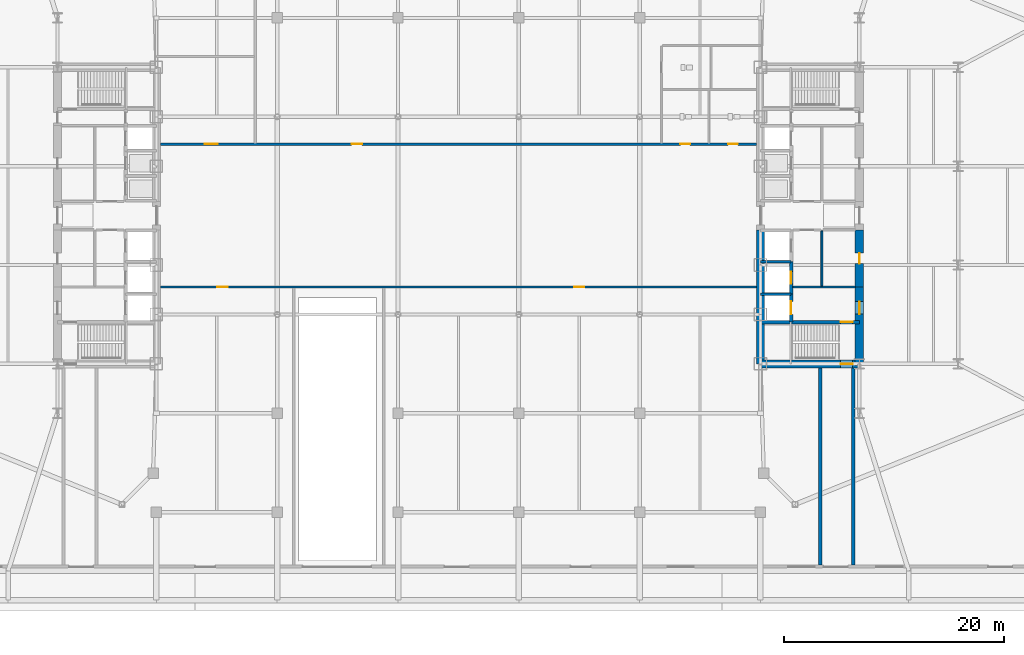
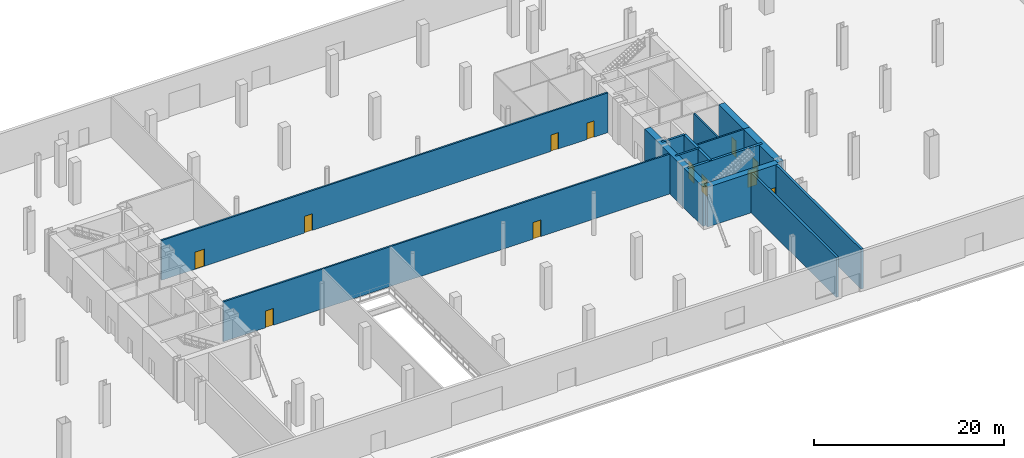
# One storey, part 13 of 21: 15 walls, 12 doors, 12 openings.
"""IFC4 building model written with IfcOpenShell, lengths in metres."""

from ifc_helpers import new_model, si_unit, direction, frame, frame_2d, origin, place, context, subcontext, project, spatial, rectangle, extrude, source, transform, mapped, material, layer, layer_set, type_object, type_shapes, element, fill, save


model = new_model("IFC4")

# Units and contexts
model_context = context("Model", 3, precision=1e-05, world=origin(), true_north=direction((0.0, 1.0)))
body_context = subcontext(model_context, "Body", "Model", "MODEL_VIEW")
ifc_project = project(units=[si_unit("LENGTHUNIT", "METRE"), si_unit("AREAUNIT", "SQUARE_METRE"), si_unit("VOLUMEUNIT", "CUBIC_METRE"), si_unit("PLANEANGLEUNIT", "RADIAN"), si_unit("MASSUNIT", "GRAM", prefix="KILO")], contexts=[model_context])

# Site, building, storey
site_placement = place(None, origin())
site = spatial("IfcSite", under=ifc_project, at=site_placement, CompositionType="ELEMENT")
building_placement = place(site_placement, origin())
building = spatial("IfcBuilding", under=site, at=building_placement, Name="Seokmaru Belvedere", CompositionType="ELEMENT")
storey_placement = place(building_placement, origin())
storey = spatial("IfcBuildingStorey", under=building, at=storey_placement, Name="L00", CompositionType="ELEMENT", Elevation=0.0)

# Walls
ifc_material_1 = material(Name="Fire-Rated Gypsum Shaftwall")
ifc_layer_1 = layer(ifc_material_1, 0.179931640625)
ifc_layer_set_1 = layer_set([ifc_layer_1], Name="Fire-Rated Gypsum Shaftwall")
wall_type_1 = type_object("IfcWallType", Name="Core Service Fire Partition 180", PredefinedType="PARTITIONING", material=ifc_layer_set_1)
wall_1_placement = place(storey_placement, frame((30.449951171875, -6.5, 0.0), z_axis=(0.0, 0.0, 1.0), x_axis=(1.0, 0.0, 0.0)))
element("IfcWall", 1, at=wall_1_placement, inside=storey, type_object=wall_type_1, Name="L00 East Firefighting Lobby Partition", PredefinedType="PARTITIONING", context=body_context, shape_type="SweptSolid", body=[
    extrude(rectangle(XDim=5.699951171875, YDim=0.179931640625, at=frame_2d((2.85009765625, 0.0))), origin(), (0.0, 0.0, 1.0), 5.1201171875),
])
wall_2_placement = place(storey_placement, frame((33.10009765625, -6.419921875, 0.0), z_axis=(0.0, 0.0, 1.0), x_axis=(0.0, 1.0, 0.0)))
element("IfcWall", 2, at=wall_2_placement, inside=storey, type_object=wall_type_1, Name="L00 East South Core Service Back Wall", PredefinedType="PARTITIONING", context=body_context, shape_type="SweptSolid", body=[
    extrude(rectangle(XDim=5.0400390625, YDim=0.179931640625, at=frame_2d((2.52001953125, 0.0))), origin(), (0.0, 0.0, 1.0), 5.1201171875),
])
ifc_material_2 = material(Name="Concrete C50 (50 MPa)", Category="concrete")
ifc_layer_2 = layer(ifc_material_2, 0.25)
ifc_layer_set_2 = layer_set([ifc_layer_2], Name="Concrete C50 (50 MPa)")
wall_type_2 = type_object("IfcWallType", Name="Hoistway Transverse Concrete Divider Wall 250", PredefinedType="SHEAR", material=ifc_layer_set_2)
for number, where, z_axis, x_axis, name in (
    (3, (27.5, -7.14990234375, 0.0), (0.0, 0.0, 1.0), (1.0, 0.0, 0.0), "L00 East Hoistway Divider Core Wall 1"),
    (4, (27.5, -4.199951171875, 0.0), (0.0, 0.0, 1.0), (1.0, 0.0, 0.0), "L00 East Hoistway Divider Core Wall 2"),
):
    element("IfcWall", number, at=place(storey_placement, frame(where, z_axis=z_axis, x_axis=x_axis)), inside=storey, type_object=wall_type_2, Name=name, PredefinedType="SHEAR", context=body_context, shape_type="SweptSolid", body=[
        extrude(rectangle(XDim=2.800048828125, YDim=0.25, at=frame_2d((1.39990234375, 0.0))), origin(), (0.0, 0.0, 1.0), 5.1201171875),
    ])

# Wall, openings, doors
ifc_layer_3 = layer(ifc_material_1, 0.199951171875)
ifc_layer_set_3 = layer_set([ifc_layer_3], Name="Fire-Rated Gypsum Shaftwall")
wall_type_3 = type_object("IfcWallType", Name="Inter-Tenancy Fire Compartment Partition 200", PredefinedType="PARTITIONING", material=ifc_layer_set_3)
wall_3_placement = place(storey_placement, frame((-27.1201171875, -6.5, 0.0), z_axis=(0.0, 0.0, 1.0), x_axis=(1.0, 0.0, 0.0)))
wall_3 = element("IfcWall", 5, at=wall_3_placement, inside=storey, type_object=wall_type_3, Name="L00 Interior Partition 001", PredefinedType="PARTITIONING", context=body_context, shape_type="SweptSolid", body=[
    extrude(rectangle(XDim=54.240234375, YDim=0.199951171875, at=frame_2d((27.1201171875, 0.0))), origin(), (0.0, 0.0, 1.0), 5.1201171875),
])
opening_1_placement = place(wall_3_placement, frame((5.14501953125, 0.0, 0.0)))
opening_1 = element("IfcOpeningElement", 6, at=opening_1_placement, cuts=wall_3, Name="Opening D05", PredefinedType="OPENING", context=body_context, shape_type="SweptSolid", body=[
    extrude(rectangle(XDim=0.949951171875, YDim=2.14990234375, at=frame_2d((0.47509765625, 1.074951171875))), frame((0.0, 0.10986328125, 0.0), z_axis=(0.0, -1.0, 0.0), x_axis=(1.0, 0.0, 0.0)), (0.0, 0.0, 1.0), 0.219970703125),
])
opening_2_placement = place(wall_3_placement, frame((37.64501953125, 0.0, 0.0)))
opening_2 = element("IfcOpeningElement", 7, at=opening_2_placement, cuts=wall_3, Name="Opening D05", PredefinedType="OPENING", context=body_context, shape_type="SweptSolid", body=[
    extrude(rectangle(XDim=0.949951171875, YDim=2.14990234375, at=frame_2d((0.47509765625, 1.074951171875))), frame((0.0, 0.10986328125, 0.0), z_axis=(0.0, -1.0, 0.0), x_axis=(1.0, 0.0, 0.0)), (0.0, 0.0, 1.0), 0.219970703125),
])
ifc_material_3 = material(Name="Engineered White Oak Timber", Category="wood")
door_type_1 = type_object("IfcDoorType", Name="Apartment Interior Fire-Rated Oak Door 950x2150", OperationType="NOTDEFINED", PredefinedType="DOOR", material=ifc_material_3)
shared_shape_1 = source(origin(), body_context, "Body", "SweptSolid", [
    extrude(rectangle(XDim=0.949951171875, YDim=2.14990234375, at=frame_2d((0.47509765625, 1.074951171875))), frame((0.0, 0.02490234375, 0.0), z_axis=(0.0, -1.0, 0.0), x_axis=(1.0, 0.0, 0.0)), (0.0, 0.0, 1.0), 0.050048828125),
])
type_shapes(door_type_1, [shared_shape_1])
door_1_placement = place(opening_1_placement, origin())
door_1 = element("IfcDoor", 8, at=door_1_placement, inside=storey, type_object=door_type_1, Name="L00 Interior Door 006", OperationType="SINGLE_SWING_LEFT", OverallHeight=2.14990234375, OverallWidth=0.949951171875, PredefinedType="DOOR", context=body_context, shape_type="MappedRepresentation", body=[
    mapped(shared_shape_1, transform((0.0, 0.0, 0.0), scale=1.0)),
])
fill(opening_1, door_1)
door_2_placement = place(opening_2_placement, origin())
door_2 = element("IfcDoor", 9, at=door_2_placement, inside=storey, type_object=door_type_1, Name="L00 Interior Door 007", OperationType="SINGLE_SWING_RIGHT", OverallHeight=2.14990234375, OverallWidth=0.949951171875, PredefinedType="DOOR", context=body_context, shape_type="MappedRepresentation", body=[
    mapped(shared_shape_1, transform((0.0, 0.0, 0.0), scale=1.0)),
])
fill(opening_2, door_2)

wall_4_placement = place(storey_placement, frame((-27.1201171875, 6.5, 0.0), z_axis=(0.0, 0.0, 1.0), x_axis=(1.0, 0.0, 0.0)))
wall_4 = element("IfcWall", 10, at=wall_4_placement, inside=storey, type_object=wall_type_3, Name="L00 Interior Partition 002", PredefinedType="PARTITIONING", context=body_context, shape_type="SweptSolid", body=[
    extrude(rectangle(XDim=54.240234375, YDim=0.199951171875, at=frame_2d((27.1201171875, 0.0))), origin(), (0.0, 0.0, 1.0), 5.1201171875),
])
opening_3_placement = place(wall_4_placement, frame((4.044921875, 0.0, 0.0)))
opening_3 = element("IfcOpeningElement", 11, at=opening_3_placement, cuts=wall_4, Name="Opening D02", PredefinedType="OPENING", context=body_context, shape_type="SweptSolid", body=[
    extrude(rectangle(XDim=1.14990234375, YDim=2.199951171875, at=frame_2d((0.574951171875, 1.10009765625))), frame((0.0, 0.10986328125, 0.0), z_axis=(0.0, -1.0, 0.0), x_axis=(1.0, 0.0, 0.0)), (0.0, 0.0, 1.0), 0.219970703125),
])
opening_4_placement = place(wall_4_placement, frame((17.39501953125, 0.0, 0.0)))
opening_4 = element("IfcOpeningElement", 12, at=opening_4_placement, cuts=wall_4, Name="Opening D05", PredefinedType="OPENING", context=body_context, shape_type="SweptSolid", body=[
    extrude(rectangle(XDim=0.949951171875, YDim=2.14990234375, at=frame_2d((0.47509765625, 1.074951171875))), frame((0.0, 0.10986328125, 0.0), z_axis=(0.0, -1.0, 0.0), x_axis=(1.0, 0.0, 0.0)), (0.0, 0.0, 1.0), 0.219970703125),
])
opening_5_placement = place(wall_4_placement, frame((47.330078125, 0.0, 0.0)))
opening_5 = element("IfcOpeningElement", 13, at=opening_5_placement, cuts=wall_4, Name="Opening D06", PredefinedType="OPENING", context=body_context, shape_type="SweptSolid", body=[
    extrude(rectangle(XDim=0.8798828125, YDim=2.10009765625, at=frame_2d((0.43994140625, 1.050048828125))), frame((0.0, 0.10986328125, 0.0), z_axis=(0.0, -1.0, 0.0), x_axis=(1.0, 0.0, 0.0)), (0.0, 0.0, 1.0), 0.219970703125),
])
opening_6_placement = place(wall_4_placement, frame((51.679931640625, 0.0, 0.0)))
opening_6 = element("IfcOpeningElement", 14, at=opening_6_placement, cuts=wall_4, Name="Opening D06", PredefinedType="OPENING", context=body_context, shape_type="SweptSolid", body=[
    extrude(rectangle(XDim=0.8798828125, YDim=2.10009765625, at=frame_2d((0.43994140625, 1.050048828125))), frame((0.0, 0.10986328125, 0.0), z_axis=(0.0, -1.0, 0.0), x_axis=(1.0, 0.0, 0.0)), (0.0, 0.0, 1.0), 0.219970703125),
])
ifc_material_4 = material(Name="Fire-Rated Steel Leaf", Category="steel")
door_type_2 = type_object("IfcDoorType", Name="Lobby and Vestibule Fire Door 1150x2200", OperationType="NOTDEFINED", PredefinedType="DOOR", material=ifc_material_4)
shared_shape_2 = source(origin(), body_context, "Body", "SweptSolid", [
    extrude(rectangle(XDim=1.14990234375, YDim=2.199951171875, at=frame_2d((0.574951171875, 1.10009765625))), frame((0.0, 0.02490234375, 0.0), z_axis=(0.0, -1.0, 0.0), x_axis=(1.0, 0.0, 0.0)), (0.0, 0.0, 1.0), 0.050048828125),
])
type_shapes(door_type_2, [shared_shape_2])
door_3_placement = place(opening_3_placement, origin())
door_3 = element("IfcDoor", 15, at=door_3_placement, inside=storey, type_object=door_type_2, Name="L00 Interior Door 001", OperationType="SINGLE_SWING_LEFT", OverallHeight=2.199951171875, OverallWidth=1.14990234375, PredefinedType="DOOR", context=body_context, shape_type="MappedRepresentation", body=[
    mapped(shared_shape_2, transform((0.0, 0.0, 0.0), scale=1.0)),
])
fill(opening_3, door_3)
door_type_3 = type_object("IfcDoorType", Name="Bathroom and Restroom Fire-Rated Door 880x2100", OperationType="NOTDEFINED", PredefinedType="DOOR", material=ifc_material_3)
shared_shape_3 = source(origin(), body_context, "Body", "SweptSolid", [
    extrude(rectangle(XDim=0.8798828125, YDim=2.10009765625, at=frame_2d((0.43994140625, 1.050048828125))), frame((0.0, 0.02490234375, 0.0), z_axis=(0.0, -1.0, 0.0), x_axis=(1.0, 0.0, 0.0)), (0.0, 0.0, 1.0), 0.050048828125),
])
type_shapes(door_type_3, [shared_shape_3])
door_4_placement = place(opening_5_placement, origin())
door_4 = element("IfcDoor", 16, at=door_4_placement, inside=storey, type_object=door_type_3, Name="L00 Interior Door 003", OperationType="SINGLE_SWING_LEFT", OverallHeight=2.10009765625, OverallWidth=0.8798828125, PredefinedType="DOOR", context=body_context, shape_type="MappedRepresentation", body=[
    mapped(shared_shape_3, transform((0.0, 0.0, 0.0), scale=1.0)),
])
fill(opening_5, door_4)
door_5_placement = place(opening_6_placement, origin())
door_5 = element("IfcDoor", 17, at=door_5_placement, inside=storey, type_object=door_type_3, Name="L00 Interior Door 004", OperationType="SINGLE_SWING_RIGHT", OverallHeight=2.10009765625, OverallWidth=0.8798828125, PredefinedType="DOOR", context=body_context, shape_type="MappedRepresentation", body=[
    mapped(shared_shape_3, transform((0.0, 0.0, 0.0), scale=1.0)),
])
fill(opening_6, door_5)
door_6_placement = place(opening_4_placement, origin())
door_6 = element("IfcDoor", 18, at=door_6_placement, inside=storey, type_object=door_type_1, Name="L00 Interior Door 002", OperationType="SINGLE_SWING_RIGHT", OverallHeight=2.14990234375, OverallWidth=0.949951171875, PredefinedType="DOOR", context=body_context, shape_type="MappedRepresentation", body=[
    mapped(shared_shape_1, transform((0.0, 0.0, 0.0), scale=1.0)),
])
fill(opening_4, door_6)

# Wall, opening, door
ifc_layer_4 = layer(ifc_material_2, 0.300048828125)
ifc_layer_set_4 = layer_set([ifc_layer_4], Name="Concrete C50 (50 MPa)")
wall_type_4 = type_object("IfcWallType", Name="Internal Core Stair and Hoistway Wall 300", PredefinedType="SHEAR", material=ifc_layer_set_4)
wall_5_placement = place(storey_placement, frame((27.5, -9.699951171875, 0.0), z_axis=(0.0, 0.0, 1.0), x_axis=(1.0, 0.0, 0.0)))
wall_5 = element("IfcWall", 19, at=wall_5_placement, inside=storey, type_object=wall_type_4, Name="L00 East Stair ST-1 Enclosure Wall", PredefinedType="SHEAR", context=body_context, shape_type="SweptSolid", body=[
    extrude(rectangle(XDim=9.0, YDim=0.300048828125, at=frame_2d((4.5, 0.0))), origin(), (0.0, 0.0, 1.0), 5.1201171875),
])
opening_7_placement = place(wall_5_placement, frame((7.300048828125, 0.0, 0.0)))
opening_7 = element("IfcOpeningElement", 20, at=opening_7_placement, cuts=wall_5, Name="Opening D01", PredefinedType="OPENING", context=body_context, shape_type="SweptSolid", body=[
    extrude(rectangle(XDim=1.10009765625, YDim=2.199951171875, at=frame_2d((0.550048828125, 1.10009765625))), frame((0.0, 0.16015625, 0.0), z_axis=(0.0, -1.0, 0.0), x_axis=(1.0, 0.0, 0.0)), (0.0, 0.0, 1.0), 0.320068359375),
])
door_type_4 = type_object("IfcDoorType", Name="Special Escape Stair Smokeproof Fire Door 1100x2200", OperationType="NOTDEFINED", PredefinedType="DOOR", material=ifc_material_4)
shared_shape_4 = source(origin(), body_context, "Body", "SweptSolid", [
    extrude(rectangle(XDim=1.10009765625, YDim=2.199951171875, at=frame_2d((0.550048828125, 1.10009765625))), frame((0.0, 0.02490234375, 0.0), z_axis=(0.0, -1.0, 0.0), x_axis=(1.0, 0.0, 0.0)), (0.0, 0.0, 1.0), 0.050048828125),
])
type_shapes(door_type_4, [shared_shape_4])
door_7_placement = place(opening_7_placement, origin())
door_7 = element("IfcDoor", 21, at=door_7_placement, inside=storey, type_object=door_type_4, Name="L00 East Special Escape Stair ST-1 Door", OperationType="SINGLE_SWING_RIGHT", OverallHeight=2.199951171875, OverallWidth=1.10009765625, PredefinedType="DOOR", context=body_context, shape_type="MappedRepresentation", body=[
    mapped(shared_shape_4, transform((0.0, 0.0, 0.0), scale=1.0)),
])
fill(opening_7, door_7)

wall_6_placement = place(storey_placement, frame((30.300048828125, -9.679931640625, 0.0), z_axis=(0.0, 0.0, 1.0), x_axis=(0.0, 1.0, 0.0)))
wall_6 = element("IfcWall", 22, at=wall_6_placement, inside=storey, type_object=wall_type_4, Name="L00 East Firefighting Lift Shaft Front Wall", PredefinedType="SHEAR", context=body_context, shape_type="SweptSolid", body=[
    extrude(rectangle(XDim=2.559814453125, YDim=0.300048828125, at=frame_2d((1.27978515625, 0.0))), origin(), (0.0, 0.0, 1.0), 5.1201171875),
])
opening_8_placement = place(wall_6_placement, frame((0.679931640625, 0.0, 0.0)))
opening_8 = element("IfcOpeningElement", 23, at=opening_8_placement, cuts=wall_6, Name="Opening LD2", PredefinedType="OPENING", context=body_context, shape_type="SweptSolid", body=[
    extrude(rectangle(XDim=1.199951171875, YDim=2.25, at=frame_2d((0.60009765625, 1.125))), frame((0.0, 0.16015625, 0.0), z_axis=(0.0, -1.0, 0.0), x_axis=(1.0, 0.0, 0.0)), (0.0, 0.0, 1.0), 0.320068359375),
])
ifc_material_5 = material(Name="Stainless Steel 316", Category="steel")
door_type_5 = type_object("IfcDoorType", Name="Firefighting Lift Sliding Landing Door 1200x2250", OperationType="DOUBLE_DOOR_SLIDING", PredefinedType="DOOR", material=ifc_material_5)
shared_shape_5 = source(origin(), body_context, "Body", "SweptSolid", [
    extrude(rectangle(XDim=1.199951171875, YDim=2.25, at=frame_2d((0.60009765625, 1.125))), frame((0.0, 0.02490234375, 0.0), z_axis=(0.0, -1.0, 0.0), x_axis=(1.0, 0.0, 0.0)), (0.0, 0.0, 1.0), 0.050048828125),
])
type_shapes(door_type_5, [shared_shape_5])
door_8_placement = place(opening_8_placement, origin())
door_8 = element("IfcDoor", 24, at=door_8_placement, inside=storey, type_object=door_type_5, Name="L00 East Firefighting Lift Landing Door", OperationType="DOUBLE_DOOR_SLIDING", OverallHeight=2.25, OverallWidth=1.199951171875, PredefinedType="DOOR", context=body_context, shape_type="MappedRepresentation", body=[
    mapped(shared_shape_5, transform((0.0, 0.0, 0.0), scale=1.0)),
])
fill(opening_8, door_8)

wall_7_placement = place(storey_placement, frame((30.300048828125, -7.1201171875, 0.0), z_axis=(0.0, 0.0, 1.0), x_axis=(0.0, 1.0, 0.0)))
wall_7 = element("IfcWall", 25, at=wall_7_placement, inside=storey, type_object=wall_type_4, Name="L00 East Low-Rise Lift PL-1 Front Wall", PredefinedType="SHEAR", context=body_context, shape_type="SweptSolid", body=[
    extrude(rectangle(XDim=2.920166015625, YDim=0.300048828125, at=frame_2d((1.4599609375, 0.0))), origin(), (0.0, 0.0, 1.0), 5.1201171875),
])
opening_9_placement = place(wall_7_placement, frame((0.909912109375, 0.0, 0.0)))
opening_9 = element("IfcOpeningElement", 26, at=opening_9_placement, cuts=wall_7, Name="Opening LD1", PredefinedType="OPENING", context=body_context, shape_type="SweptSolid", body=[
    extrude(rectangle(XDim=1.10009765625, YDim=2.199951171875, at=frame_2d((0.550048828125, 1.10009765625))), frame((0.0, 0.16015625, 0.0), z_axis=(0.0, -1.0, 0.0), x_axis=(1.0, 0.0, 0.0)), (0.0, 0.0, 1.0), 0.320068359375),
])
door_type_6 = type_object("IfcDoorType", Name="Passenger Lift Sliding Landing Door 1100x2200", OperationType="DOUBLE_DOOR_SLIDING", PredefinedType="DOOR", material=ifc_material_5)
shared_shape_6 = source(origin(), body_context, "Body", "SweptSolid", [
    extrude(rectangle(XDim=1.10009765625, YDim=2.199951171875, at=frame_2d((0.550048828125, 1.10009765625))), frame((0.0, 0.02490234375, 0.0), z_axis=(0.0, -1.0, 0.0), x_axis=(1.0, 0.0, 0.0)), (0.0, 0.0, 1.0), 0.050048828125),
])
type_shapes(door_type_6, [shared_shape_6])
door_9_placement = place(opening_9_placement, origin())
door_9 = element("IfcDoor", 27, at=door_9_placement, inside=storey, type_object=door_type_6, Name="L00 East Low-Rise Lift PL-1 Landing Door", OperationType="DOUBLE_DOOR_SLIDING", OverallHeight=2.199951171875, OverallWidth=1.10009765625, PredefinedType="DOOR", context=body_context, shape_type="MappedRepresentation", body=[
    mapped(shared_shape_6, transform((0.0, 0.0, 0.0), scale=1.0)),
])
fill(opening_9, door_9)

# Walls
for number, where, z_axis, x_axis, name in (
    (28, (32.949951171875, -31.800048828125, 0.0), (0.0, 0.0, 1.0), (0.0, 1.0, 0.0), "L00 Exit Passage Wall 014"),
    (29, (35.949951171875, -31.800048828125, 0.0), (0.0, 0.0, 1.0), (0.0, 1.0, 0.0), "L00 Exit Passage Wall 015"),
):
    element("IfcWall", number, at=place(storey_placement, frame(where, z_axis=z_axis, x_axis=x_axis)), inside=storey, type_object=wall_type_4, Name=name, PredefinedType="SHEAR", context=body_context, shape_type="SweptSolid", body=[
        extrude(rectangle(XDim=17.920166015625, YDim=0.300048828125, at=frame_2d((8.9599609375, 0.0))), origin(), (0.0, 0.0, 1.0), 5.1201171875),
    ])
ifc_material_6 = material(Name="Concrete C60 (60 MPa)", Category="concrete")
ifc_layer_5 = layer(ifc_material_6, 0.75)
ifc_layer_set_5 = layer_set([ifc_layer_5], Name="Concrete C60 (60 MPa)")
wall_type_5 = type_object("IfcWallType", Name="Lower Tower Reinforced Concrete Core Wall 750", PredefinedType="SHEAR", material=ifc_layer_set_5)
wall_8_placement = place(storey_placement, frame((27.5, -13.5, 0.0), z_axis=(0.0, 0.0, 1.0), x_axis=(0.0, 1.0, 0.0)))
element("IfcWall", 30, at=wall_8_placement, inside=storey, type_object=wall_type_5, Name="L00 East Portal Spine Core Wall South", PredefinedType="SHEAR", context=body_context, shape_type="SweptSolid", body=[
    extrude(rectangle(XDim=12.199951171875, YDim=0.75, at=frame_2d((6.10009765625, 0.0))), origin(), (0.0, 0.0, 1.0), 5.1201171875),
])

# Wall, opening, door
wall_9_placement = place(storey_placement, frame((27.5, -13.5, 0.0), z_axis=(0.0, 0.0, 1.0), x_axis=(1.0, 0.0, 0.0)))
wall_9 = element("IfcWall", 31, at=wall_9_placement, inside=storey, type_object=wall_type_5, Name="L00 East South Core Wall", PredefinedType="SHEAR", context=body_context, shape_type="SweptSolid", body=[
    extrude(rectangle(XDim=9.0, YDim=0.75, at=frame_2d((4.5, 0.0))), origin(), (0.0, 0.0, 1.0), 5.1201171875),
])
opening_10_placement = place(wall_9_placement, frame((7.300048828125, 0.0, 0.0)))
opening_10 = element("IfcOpeningElement", 32, at=opening_10_placement, cuts=wall_9, Name="Opening D01", PredefinedType="OPENING", context=body_context, shape_type="SweptSolid", body=[
    extrude(rectangle(XDim=1.10009765625, YDim=2.199951171875, at=frame_2d((0.550048828125, 1.10009765625))), frame((0.0, 0.385009765625, 0.0), z_axis=(0.0, -1.0, 0.0), x_axis=(1.0, 0.0, 0.0)), (0.0, 0.0, 1.0), 0.77001953125),
])
door_10_placement = place(opening_10_placement, frame((1.10009765625, 0.0, 0.0), z_axis=(0.0, 0.0, 1.0), x_axis=(-1.0, 0.0, 0.0)))
door_10 = element("IfcDoor", 33, at=door_10_placement, inside=storey, type_object=door_type_4, Name="L00 East Special Escape Stair ST-1 Exit Door", OperationType="SINGLE_SWING_RIGHT", OverallHeight=2.199951171875, OverallWidth=1.10009765625, PredefinedType="DOOR", context=body_context, shape_type="MappedRepresentation", body=[
    mapped(shared_shape_4, transform((0.0, 0.0, 0.0), scale=1.0)),
])
fill(opening_10, door_10)

wall_10_placement = place(storey_placement, frame((36.5, -13.64990234375, 0.0), z_axis=(0.0, 0.0, 1.0), x_axis=(0.0, 1.0, 0.0)))
wall_10 = element("IfcWall", 34, at=wall_10_placement, inside=storey, type_object=wall_type_5, Name="L00 East West Core Wall FF", PredefinedType="SHEAR", context=body_context, shape_type="SweptSolid", body=[
    extrude(rectangle(XDim=7.14990234375, YDim=0.75, at=frame_2d((3.574951171875, 0.0))), origin(), (0.0, 0.0, 1.0), 5.1201171875),
])
opening_11_placement = place(wall_10_placement, frame((4.675048828125, 0.0, 0.0)))
opening_11 = element("IfcOpeningElement", 35, at=opening_11_placement, cuts=wall_10, Name="Opening D02", PredefinedType="OPENING", context=body_context, shape_type="SweptSolid", body=[
    extrude(rectangle(XDim=1.14990234375, YDim=2.199951171875, at=frame_2d((0.574951171875, 1.10009765625))), frame((0.0, 0.385009765625, 0.0), z_axis=(0.0, -1.0, 0.0), x_axis=(1.0, 0.0, 0.0)), (0.0, 0.0, 1.0), 0.77001953125),
])
door_11_placement = place(opening_11_placement, frame((1.14990234375, 0.0, 0.0), z_axis=(0.0, 0.0, 1.0), x_axis=(-1.0, 0.0, 0.0)))
door_11 = element("IfcDoor", 36, at=door_11_placement, inside=storey, type_object=door_type_2, Name="L00 East Firefighting Lobby Door", OperationType="SINGLE_SWING_RIGHT", OverallHeight=2.199951171875, OverallWidth=1.14990234375, PredefinedType="DOOR", context=body_context, shape_type="MappedRepresentation", body=[
    mapped(shared_shape_2, transform((0.0, 0.0, 0.0), scale=1.0)),
])
fill(opening_11, door_11)

wall_11_placement = place(storey_placement, frame((36.5, -6.5, 0.0), z_axis=(0.0, 0.0, 1.0), x_axis=(0.0, 1.0, 0.0)))
wall_11 = element("IfcWall", 37, at=wall_11_placement, inside=storey, type_object=wall_type_5, Name="L00 East West Core Wall CS1", PredefinedType="SHEAR", context=body_context, shape_type="SweptSolid", body=[
    extrude(rectangle(XDim=5.199951171875, YDim=0.75, at=frame_2d((2.60009765625, 0.0))), origin(), (0.0, 0.0, 1.0), 5.1201171875),
])
opening_12_placement = place(wall_11_placement, frame((2.125, 0.0, 0.0)))
opening_12 = element("IfcOpeningElement", 38, at=opening_12_placement, cuts=wall_11, Name="Opening D04", PredefinedType="OPENING", context=body_context, shape_type="SweptSolid", body=[
    extrude(rectangle(XDim=0.949951171875, YDim=2.14990234375, at=frame_2d((0.47509765625, 1.074951171875))), frame((0.0, 0.385009765625, 0.0), z_axis=(0.0, -1.0, 0.0), x_axis=(1.0, 0.0, 0.0)), (0.0, 0.0, 1.0), 0.77001953125),
])
door_type_7 = type_object("IfcDoorType", Name="Core Service Room Fire Door 950x2150", OperationType="NOTDEFINED", PredefinedType="DOOR", material=ifc_material_4)
shared_shape_7 = source(origin(), body_context, "Body", "SweptSolid", [
    extrude(rectangle(XDim=0.949951171875, YDim=2.14990234375, at=frame_2d((0.47509765625, 1.074951171875))), frame((0.0, 0.02490234375, 0.0), z_axis=(0.0, -1.0, 0.0), x_axis=(1.0, 0.0, 0.0)), (0.0, 0.0, 1.0), 0.050048828125),
])
type_shapes(door_type_7, [shared_shape_7])
door_12_placement = place(opening_12_placement, origin())
door_12 = element("IfcDoor", 39, at=door_12_placement, inside=storey, type_object=door_type_7, Name="L00 East Core Service Room Door 1", OperationType="SINGLE_SWING_RIGHT", OverallHeight=2.14990234375, OverallWidth=0.949951171875, PredefinedType="DOOR", context=body_context, shape_type="MappedRepresentation", body=[
    mapped(shared_shape_7, transform((0.0, 0.0, 0.0), scale=1.0)),
])
fill(opening_12, door_12)

save(model, "model.ifc")
